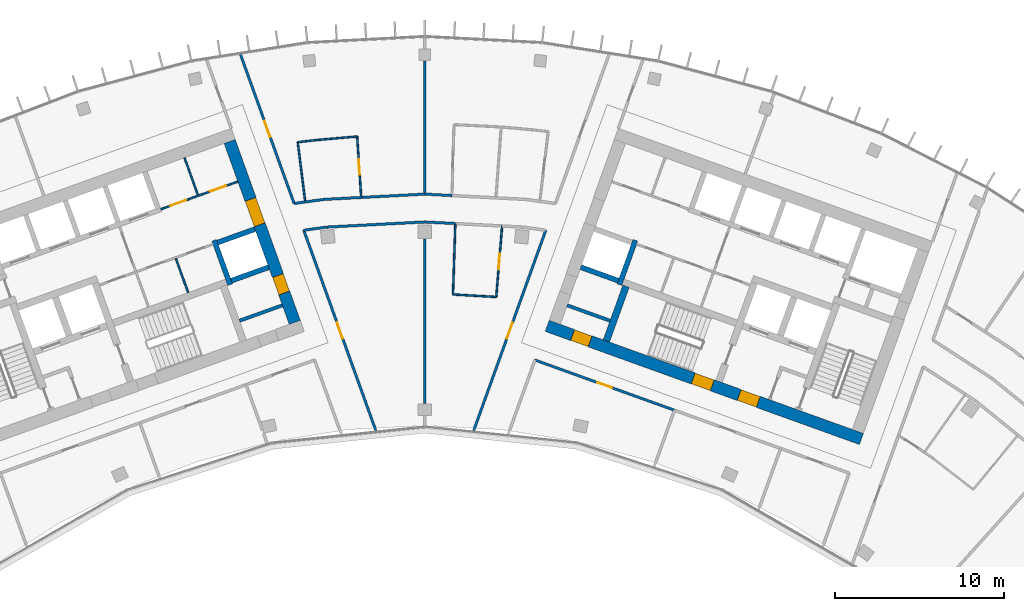
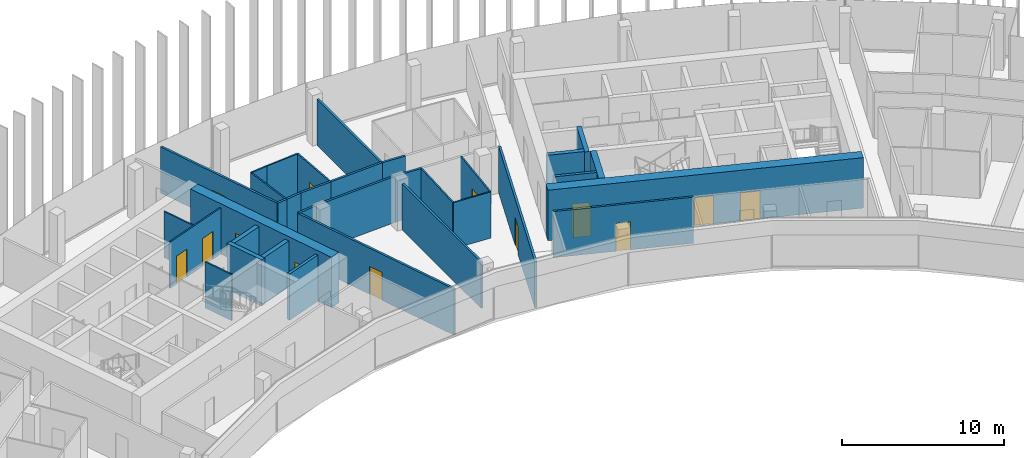
# One storey, part 15 of 19: 34 walls, 13 doors, 13 openings.
"""IFC4 building model written with IfcOpenShell, lengths in metres."""

from ifc_helpers import new_model, si_unit, direction, frame, frame_2d, origin, place, context, subcontext, project, spatial, rectangle, extrude, material, layer, layer_set, type_object, element, fill, save


model = new_model("IFC4")

# Units and contexts
model_context = context("Model", 3, precision=1e-05, world=origin(), true_north=direction((0.0, 1.0)))
body_context = subcontext(model_context, "Body", "Model", "MODEL_VIEW")
ifc_project = project(units=[si_unit("LENGTHUNIT", "METRE"), si_unit("AREAUNIT", "SQUARE_METRE"), si_unit("VOLUMEUNIT", "CUBIC_METRE"), si_unit("PLANEANGLEUNIT", "RADIAN"), si_unit("MASSUNIT", "GRAM", prefix="KILO")], contexts=[model_context])

# Site, building, storey
site_placement = place(None, origin())
site = spatial("IfcSite", under=ifc_project, at=site_placement, CompositionType="ELEMENT")
building_placement = place(site_placement, origin())
building = spatial("IfcBuilding", under=site, at=building_placement, Name="Stone Belt Terrace Tower", CompositionType="ELEMENT")
storey_placement = place(building_placement, frame((0.0, 0.0, 280.800048828125)))
storey = spatial("IfcBuildingStorey", under=building, at=storey_placement, Name="L68", CompositionType="ELEMENT", Elevation=280.800048828125)

# Wall
ifc_material_1 = material(Name="Plasterboard partition")
ifc_layer_1 = layer(ifc_material_1, 0.10009765625)
ifc_layer_set_1 = layer_set([ifc_layer_1], Name="Core partition 100")
wall_type_1 = type_object("IfcWallType", Name="Core partition 100", PredefinedType="PARTITIONING", material=ifc_layer_set_1)
wall_1_placement = place(storey_placement, frame((-14.029052734375, 51.38525390625, 0.0), z_axis=(0.0, 0.0, 1.0), x_axis=(-0.338622960269, 0.940922149159, 0.0)))
element("IfcWall", 1, at=wall_1_placement, inside=storey, type_object=wall_type_1, Name="Core A wall", PredefinedType="PARTITIONING", context=body_context, shape_type="SweptSolid", body=[
    extrude(rectangle(XDim=2.14990234375, YDim=0.10009765625, at=frame_2d((1.074951171875, 0.0))), origin(), (0.0, 0.0, 1.0), 3.47998046875),
])

# Wall, openings, doors
wall_2_placement = place(storey_placement, frame((-15.648681640625, 56.32861328125, 0.0), z_axis=(0.0, 0.0, 1.0), x_axis=(0.940905377977, 0.338669558262, 0.0)))
wall_2 = element("IfcWall", 2, at=wall_2_placement, inside=storey, type_object=wall_type_1, Name="Core A wall", PredefinedType="PARTITIONING", context=body_context, shape_type="SweptSolid", body=[
    extrude(rectangle(XDim=4.85009765625, YDim=0.10009765625, at=frame_2d((2.425048828125, 0.0))), origin(), (0.0, 0.0, 1.0), 3.47998046875),
])
opening_1_placement = place(wall_2_placement, frame((0.60009765625, 0.0, 0.0)))
opening_1 = element("IfcOpeningElement", 3, at=opening_1_placement, cuts=wall_2, Name="Opening L68-C01", PredefinedType="OPENING", context=body_context, shape_type="SweptSolid", body=[
    extrude(rectangle(XDim=1.0, YDim=2.10009765625, at=frame_2d((0.5, 1.050048828125))), frame((0.0, 0.06005859375, 0.0), z_axis=(0.0, -1.0, 0.0), x_axis=(1.0, 0.0, 0.0)), (0.0, 0.0, 1.0), 0.1201171875),
])
opening_2_placement = place(wall_2_placement, frame((3.10009765625, 0.0, 0.0)))
opening_2 = element("IfcOpeningElement", 4, at=opening_2_placement, cuts=wall_2, Name="Opening L68-C02", PredefinedType="OPENING", context=body_context, shape_type="SweptSolid", body=[
    extrude(rectangle(XDim=1.0, YDim=2.10009765625, at=frame_2d((0.5, 1.050048828125))), frame((0.0, 0.06005859375, 0.0), z_axis=(0.0, -1.0, 0.0), x_axis=(1.0, 0.0, 0.0)), (0.0, 0.0, 1.0), 0.1201171875),
])
ifc_material_2 = material(Name="Timber door leaf", Category="wood")
door_type_1 = type_object("IfcDoorType", Name="Core room door 1000", OperationType="SINGLE_SWING_LEFT", PredefinedType="DOOR", material=ifc_material_2)
door_1_placement = place(opening_1_placement, origin())
door_1 = element("IfcDoor", 5, at=door_1_placement, inside=storey, type_object=door_type_1, Name="Door to Server room core A", OperationType="SINGLE_SWING_LEFT", OverallHeight=2.10009765625, OverallWidth=1.0, PredefinedType="DOOR", context=body_context, shape_type="SweptSolid", body=[
    extrude(rectangle(XDim=1.0, YDim=2.10009765625, at=frame_2d((0.5, 1.050048828125))), frame((0.0, 0.02490234375, 0.0), z_axis=(0.0, -1.0, 0.0), x_axis=(1.0, 0.0, 0.0)), (0.0, 0.0, 1.0), 0.050048828125),
])
fill(opening_1, door_1)
door_2_placement = place(opening_2_placement, origin())
door_2 = element("IfcDoor", 6, at=door_2_placement, inside=storey, type_object=door_type_1, Name="Door to Plant room core A", OperationType="SINGLE_SWING_RIGHT", OverallHeight=2.10009765625, OverallWidth=1.0, PredefinedType="DOOR", context=body_context, shape_type="SweptSolid", body=[
    extrude(rectangle(XDim=1.0, YDim=2.10009765625, at=frame_2d((0.5, 1.050048828125))), frame((0.0, 0.02490234375, 0.0), z_axis=(0.0, -1.0, 0.0), x_axis=(1.0, 0.0, 0.0)), (0.0, 0.0, 1.0), 0.050048828125),
])
fill(opening_2, door_2)

# Wall
wall_3_placement = place(storey_placement, frame((-13.45458984375, 57.171630859375, 0.0), z_axis=(0.0, 0.0, 1.0), x_axis=(-0.338579668317, 0.940937728121, 0.0)))
element("IfcWall", 7, at=wall_3_placement, inside=storey, type_object=wall_type_1, Name="Core A wall", PredefinedType="PARTITIONING", context=body_context, shape_type="SweptSolid", body=[
    extrude(rectangle(XDim=2.35009765625, YDim=0.10009765625, at=frame_2d((1.175048828125, 0.0))), origin(), (0.0, 0.0, 1.0), 3.47998046875),
])

# Wall, openings, doors
ifc_material_3 = material(Name="Concrete B60", Category="concrete")
ifc_layer_2 = layer(ifc_material_3, 0.699951171875)
ifc_layer_set_2 = layer_set([ifc_layer_2], Name="Core wall 700 B60")
wall_type_2 = type_object("IfcWallType", Name="Core wall 700 B60", PredefinedType="SHEAR", material=ifc_layer_set_2)
wall_4_placement = place(storey_placement, frame((-7.70849609375, 49.621337890625, 0.0), z_axis=(0.0, 0.0, 1.0), x_axis=(-0.338606471282, 0.940928083121, 0.0)))
wall_4 = element("IfcWall", 8, at=wall_4_placement, inside=storey, type_object=wall_type_2, Name="Core A wall end_b L68", PredefinedType="SHEAR", context=body_context, shape_type="SweptSolid", body=[
    extrude(rectangle(XDim=11.39990234375, YDim=0.699951171875, at=frame_2d((5.699951171875, 0.0))), origin(), (0.0, 0.0, 1.0), 3.800048828125),
])
opening_3_placement = place(wall_4_placement, frame((6.14990234375, 0.0, 0.0)))
opening_3 = element("IfcOpeningElement", 9, at=opening_3_placement, cuts=wall_4, Name="Opening L68-C09", PredefinedType="OPENING", context=body_context, shape_type="SweptSolid", body=[
    extrude(rectangle(XDim=1.60009765625, YDim=2.10009765625, at=frame_2d((0.800048828125, 1.050048828125))), frame((0.0, 0.35986328125, 0.0), z_axis=(0.0, -1.0, 0.0), x_axis=(1.0, 0.0, 0.0)), (0.0, 0.0, 1.0), 0.719970703125),
])
opening_4_placement = place(wall_4_placement, frame((1.85009765625, 0.0, 0.0)))
opening_4 = element("IfcOpeningElement", 10, at=opening_4_placement, cuts=wall_4, Name="Opening L68-C15", PredefinedType="OPENING", context=body_context, shape_type="SweptSolid", body=[
    extrude(rectangle(XDim=1.10009765625, YDim=2.10009765625, at=frame_2d((0.550048828125, 1.050048828125))), frame((0.0, 0.35986328125, 0.0), z_axis=(0.0, -1.0, 0.0), x_axis=(1.0, 0.0, 0.0)), (0.0, 0.0, 1.0), 0.719970703125),
])
door_type_2 = type_object("IfcDoorType", Name="Core room door 1100", OperationType="SINGLE_SWING_LEFT", PredefinedType="DOOR", material=ifc_material_2)
door_3_placement = place(opening_4_placement, origin())
door_3 = element("IfcDoor", 11, at=door_3_placement, inside=storey, type_object=door_type_2, Name="Door to Accessible WC core A", OperationType="SINGLE_SWING_RIGHT", OverallHeight=2.10009765625, OverallWidth=1.10009765625, PredefinedType="DOOR", context=body_context, shape_type="SweptSolid", body=[
    extrude(rectangle(XDim=1.10009765625, YDim=2.10009765625, at=frame_2d((0.550048828125, 1.050048828125))), frame((0.0, 0.330078125, 0.0), z_axis=(0.0, -1.0, 0.0), x_axis=(1.0, 0.0, 0.0)), (0.0, 0.0, 1.0), 0.659912109375),
])
fill(opening_4, door_3)
ifc_material_4 = material(Name="Glazed aluminium door leaf", Category="aluminium")
door_type_3 = type_object("IfcDoorType", Name="Lift lobby entrance door 1600", OperationType="DOUBLE_DOOR_SINGLE_SWING", PredefinedType="DOOR", material=ifc_material_4)
door_4_placement = place(opening_3_placement, origin())
door_4 = element("IfcDoor", 12, at=door_4_placement, inside=storey, type_object=door_type_3, Name="Lift lobby entrance door core A", OperationType="DOUBLE_DOOR_SINGLE_SWING", OverallHeight=2.10009765625, OverallWidth=1.60009765625, PredefinedType="DOOR", context=body_context, shape_type="SweptSolid", body=[
    extrude(rectangle(XDim=1.60009765625, YDim=2.10009765625, at=frame_2d((0.800048828125, 1.050048828125))), frame((0.0, 0.330078125, 0.0), z_axis=(0.0, -1.0, 0.0), x_axis=(1.0, 0.0, 0.0)), (0.0, 0.0, 1.0), 0.659912109375),
])
fill(opening_3, door_4)

wall_5_placement = place(storey_placement, frame((7.260498046875, 49.410400390625, 0.0), z_axis=(0.0, 0.0, 1.0), x_axis=(0.940925130461, -0.338614676094, 0.0)))
wall_5 = element("IfcWall", 13, at=wall_5_placement, inside=storey, type_object=wall_type_2, Name="Core B wall concave L68", PredefinedType="SHEAR", context=body_context, shape_type="SweptSolid", body=[
    extrude(rectangle(XDim=19.800048828125, YDim=0.699951171875, at=frame_2d((9.89990234375, 0.0))), origin(), (0.0, 0.0, 1.0), 3.800048828125),
])
opening_5_placement = place(wall_5_placement, frame((12.10009765625, 0.0, 0.0)))
opening_5 = element("IfcOpeningElement", 14, at=opening_5_placement, cuts=wall_5, Name="Opening L68-C28", PredefinedType="OPENING", context=body_context, shape_type="SweptSolid", body=[
    extrude(rectangle(XDim=1.199951171875, YDim=2.10009765625, at=frame_2d((0.60009765625, 1.050048828125))), frame((0.0, 0.35986328125, 0.0), z_axis=(0.0, -1.0, 0.0), x_axis=(1.0, 0.0, 0.0)), (0.0, 0.0, 1.0), 0.719970703125),
])
opening_6_placement = place(wall_5_placement, frame((9.2001953125, 0.0, 0.0)))
opening_6 = element("IfcOpeningElement", 15, at=opening_6_placement, cuts=wall_5, Name="Opening L68-C30", PredefinedType="OPENING", context=body_context, shape_type="SweptSolid", body=[
    extrude(rectangle(XDim=1.199951171875, YDim=2.10009765625, at=frame_2d((0.60009765625, 1.050048828125))), frame((0.0, 0.35986328125, 0.0), z_axis=(0.0, -1.0, 0.0), x_axis=(1.0, 0.0, 0.0)), (0.0, 0.0, 1.0), 0.719970703125),
])
opening_7_placement = place(wall_5_placement, frame((1.60009765625, 0.0, 0.0)))
opening_7 = element("IfcOpeningElement", 16, at=opening_7_placement, cuts=wall_5, Name="Opening L68-C32", PredefinedType="OPENING", context=body_context, shape_type="SweptSolid", body=[
    extrude(rectangle(XDim=1.10009765625, YDim=2.10009765625, at=frame_2d((0.550048828125, 1.050048828125))), frame((0.0, 0.35986328125, 0.0), z_axis=(0.0, -1.0, 0.0), x_axis=(1.0, 0.0, 0.0)), (0.0, 0.0, 1.0), 0.719970703125),
])
door_5_placement = place(opening_7_placement, origin())
door_5 = element("IfcDoor", 17, at=door_5_placement, inside=storey, type_object=door_type_2, Name="Door to Pipe riser core B", OperationType="SINGLE_SWING_RIGHT", OverallHeight=2.10009765625, OverallWidth=1.10009765625, PredefinedType="DOOR", context=body_context, shape_type="SweptSolid", body=[
    extrude(rectangle(XDim=1.10009765625, YDim=2.10009765625, at=frame_2d((0.550048828125, 1.050048828125))), frame((0.0, 0.330078125, 0.0), z_axis=(0.0, -1.0, 0.0), x_axis=(1.0, 0.0, 0.0)), (0.0, 0.0, 1.0), 0.659912109375),
])
fill(opening_7, door_5)
ifc_material_5 = material(Name="Steel door leaf", Category="steel")
door_type_4 = type_object("IfcDoorType", Name="Fire-fighting lobby door 1200", OperationType="SINGLE_SWING_LEFT", PredefinedType="DOOR", material=ifc_material_5)
door_6_placement = place(opening_5_placement, origin())
door_6 = element("IfcDoor", 18, at=door_6_placement, inside=storey, type_object=door_type_4, Name="Fire-fighting lobby door core B", OperationType="SINGLE_SWING_RIGHT", OverallHeight=2.10009765625, OverallWidth=1.199951171875, PredefinedType="DOOR", context=body_context, shape_type="SweptSolid", body=[
    extrude(rectangle(XDim=1.199951171875, YDim=2.10009765625, at=frame_2d((0.60009765625, 1.050048828125))), frame((0.0, 0.330078125, 0.0), z_axis=(0.0, -1.0, 0.0), x_axis=(1.0, 0.0, 0.0)), (0.0, 0.0, 1.0), 0.659912109375),
])
fill(opening_5, door_6)
door_type_5 = type_object("IfcDoorType", Name="Stair door 1200", OperationType="SINGLE_SWING_LEFT", PredefinedType="DOOR", material=ifc_material_5)
door_7_placement = place(opening_6_placement, origin())
door_7 = element("IfcDoor", 19, at=door_7_placement, inside=storey, type_object=door_type_5, Name="Stair 2 exit door core B", OperationType="SINGLE_SWING_LEFT", OverallHeight=2.10009765625, OverallWidth=1.199951171875, PredefinedType="DOOR", context=body_context, shape_type="SweptSolid", body=[
    extrude(rectangle(XDim=1.199951171875, YDim=2.10009765625, at=frame_2d((0.60009765625, 1.050048828125))), frame((0.0, 0.330078125, 0.0), z_axis=(0.0, -1.0, 0.0), x_axis=(1.0, 0.0, 0.0)), (0.0, 0.0, 1.0), 0.659912109375),
])
fill(opening_6, door_7)

# Walls
ifc_material_6 = material(Name="Concrete B80", Category="concrete")
ifc_layer_3 = layer(ifc_material_6, 0.300048828125)
ifc_layer_set_3 = layer_set([ifc_layer_3], Name="Lift shaft wall 300")
wall_type_3 = type_object("IfcWallType", Name="Lift shaft wall 300", PredefinedType="SHEAR", material=ifc_layer_set_3)
wall_6_placement = place(storey_placement, frame((-11.541259765625, 51.85546875, 0.0), z_axis=(0.0, 0.0, 1.0), x_axis=(-0.338660803216, 0.940908529223, 0.0)))
element("IfcWall", 20, at=wall_6_placement, inside=storey, type_object=wall_type_3, Name="Core A wall", PredefinedType="SHEAR", context=body_context, shape_type="SweptSolid", body=[
    extrude(rectangle(XDim=2.800048828125, YDim=0.300048828125, at=frame_2d((1.39990234375, 0.0))), origin(), (0.0, 0.0, 1.0), 3.47998046875),
])
wall_7_placement = place(storey_placement, frame((-11.468017578125, 52.09423828125, 0.0), z_axis=(0.0, 0.0, 1.0), x_axis=(0.940904627055, 0.338671644496, 0.0)))
element("IfcWall", 21, at=wall_7_placement, inside=storey, type_object=wall_type_3, Name="Core A wall", PredefinedType="SHEAR", context=body_context, shape_type="SweptSolid", body=[
    extrude(rectangle(XDim=2.35009765625, YDim=0.300048828125, at=frame_2d((1.175048828125, 0.0))), origin(), (0.0, 0.0, 1.0), 3.47998046875),
])
wall_8_placement = place(storey_placement, frame((-12.280517578125, 54.3525390625, 0.0), z_axis=(0.0, 0.0, 1.0), x_axis=(0.940925816745, 0.338612769078, 0.0)))
element("IfcWall", 22, at=wall_8_placement, inside=storey, type_object=wall_type_3, Name="Core A wall", PredefinedType="SHEAR", context=body_context, shape_type="SweptSolid", body=[
    extrude(rectangle(XDim=2.349853515625, YDim=0.300048828125, at=frame_2d((1.1748046875, 0.0))), origin(), (0.0, 0.0, 1.0), 3.47998046875),
])
wall_9_placement = place(storey_placement, frame((11.541259765625, 51.85546875, 0.0), z_axis=(0.0, 0.0, 1.0), x_axis=(0.338660803216, 0.940908529223, 0.0)))
element("IfcWall", 23, at=wall_9_placement, inside=storey, type_object=wall_type_3, Name="Core B wall", PredefinedType="SHEAR", context=body_context, shape_type="SweptSolid", body=[
    extrude(rectangle(XDim=2.800048828125, YDim=0.300048828125, at=frame_2d((1.39990234375, 0.0))), origin(), (0.0, 0.0, 1.0), 3.47998046875),
])
wall_10_placement = place(storey_placement, frame((11.468017578125, 52.09423828125, 0.0), z_axis=(0.0, 0.0, 1.0), x_axis=(-0.940904627055, 0.338671644496, 0.0)))
element("IfcWall", 24, at=wall_10_placement, inside=storey, type_object=wall_type_3, Name="Core B wall", PredefinedType="SHEAR", context=body_context, shape_type="SweptSolid", body=[
    extrude(rectangle(XDim=2.35009765625, YDim=0.300048828125, at=frame_2d((1.175048828125, 0.0))), origin(), (0.0, 0.0, 1.0), 3.47998046875),
])
ifc_material_7 = material(Name="Gypsum board partition")
ifc_layer_4 = layer(ifc_material_7, 0.10009765625)
ifc_layer_set_4 = layer_set([ifc_layer_4], Name="PARTITION 100")
wall_type_4 = type_object("IfcWallType", Name="PARTITION 100", PredefinedType="PARTITIONING", material=ifc_layer_set_4)
wall_11_placement = place(storey_placement, frame((1.81103515625, 55.47998046875, 0.0), z_axis=(0.0, 0.0, 1.0), x_axis=(-0.032793038471, -0.99946216368, 0.0)))
element("IfcWall", 25, at=wall_11_placement, inside=storey, type_object=wall_type_4, Name="L68/wall/i103", PredefinedType="PARTITIONING", context=body_context, shape_type="SweptSolid", body=[
    extrude(rectangle(XDim=4.206298828125, YDim=0.10009765625, at=frame_2d((2.10302734375, 0.0))), origin(), (0.0, 0.0, 1.0), 3.47998046875),
])
wall_12_placement = place(storey_placement, frame((1.673095703125, 51.27587890625, 0.0), z_axis=(0.0, 0.0, 1.0), x_axis=(0.998340572085, -0.057585606956, 0.0)))
element("IfcWall", 26, at=wall_12_placement, inside=storey, type_object=wall_type_4, Name="L68/wall/i104", PredefinedType="PARTITIONING", context=body_context, shape_type="SweptSolid", body=[
    extrude(rectangle(XDim=2.569091796875, YDim=0.10009765625, at=frame_2d((1.28466796875, 0.0))), origin(), (0.0, 0.0, 1.0), 3.47998046875),
])

# Wall, opening, door
wall_13_placement = place(storey_placement, frame((4.238037109375, 51.1279296875, 0.0), z_axis=(0.0, 0.0, 1.0), x_axis=(0.082413674848, 0.996598207001, 0.0)))
wall_13 = element("IfcWall", 27, at=wall_13_placement, inside=storey, type_object=wall_type_4, Name="L68/wall/i105", PredefinedType="PARTITIONING", context=body_context, shape_type="SweptSolid", body=[
    extrude(rectangle(XDim=4.221435546875, YDim=0.10009765625, at=frame_2d((2.11083984375, 0.0))), origin(), (0.0, 0.0, 1.0), 3.47998046875),
])
opening_8_placement = place(wall_13_placement, frame((1.66064453125, 0.0, 0.0)))
opening_8 = element("IfcOpeningElement", 28, at=opening_8_placement, cuts=wall_13, Name="Opening D-E2-28", PredefinedType="OPENING", context=body_context, shape_type="SweptSolid", body=[
    extrude(rectangle(XDim=0.89990234375, YDim=2.10009765625, at=frame_2d((0.449951171875, 1.050048828125))), frame((0.0, 0.06005859375, 0.0), z_axis=(0.0, -1.0, 0.0), x_axis=(1.0, 0.0, 0.0)), (0.0, 0.0, 1.0), 0.1201171875),
])
door_type_6 = type_object("IfcDoorType", Name="OFFICE DOOR 900 X 2100", OperationType="NOTDEFINED", PredefinedType="DOOR", material=ifc_material_2)
door_8_placement = place(opening_8_placement, origin())
door_8 = element("IfcDoor", 29, at=door_8_placement, inside=storey, type_object=door_type_6, Name="L68/door/i28", OperationType="SINGLE_SWING_RIGHT", OverallHeight=2.10009765625, OverallWidth=0.89990234375, PredefinedType="DOOR", context=body_context, shape_type="SweptSolid", body=[
    extrude(rectangle(XDim=0.89990234375, YDim=2.10009765625, at=frame_2d((0.449951171875, 1.050048828125))), frame((0.0, 0.02490234375, 0.0), z_axis=(0.0, -1.0, 0.0), x_axis=(1.0, 0.0, 0.0)), (0.0, 0.0, 1.0), 0.050048828125),
])
fill(opening_8, door_8)

wall_14_placement = place(storey_placement, frame((-3.77001953125, 57.028076171875, 0.0), z_axis=(0.0, 0.0, 1.0), x_axis=(-0.066008841027, 0.997819038156, 0.0)))
wall_14 = element("IfcWall", 30, at=wall_14_placement, inside=storey, type_object=wall_type_4, Name="L68/wall/i106", PredefinedType="PARTITIONING", context=body_context, shape_type="SweptSolid", body=[
    extrude(rectangle(XDim=3.620849609375, YDim=0.10009765625, at=frame_2d((1.810546875, 0.0))), origin(), (0.0, 0.0, 1.0), 3.47998046875),
])
opening_9_placement = place(wall_14_placement, frame((1.3603515625, 0.0, 0.0)))
opening_9 = element("IfcOpeningElement", 31, at=opening_9_placement, cuts=wall_14, Name="Opening D-E2-30", PredefinedType="OPENING", context=body_context, shape_type="SweptSolid", body=[
    extrude(rectangle(XDim=0.89990234375, YDim=2.10009765625, at=frame_2d((0.449951171875, 1.050048828125))), frame((0.0, 0.06005859375, 0.0), z_axis=(0.0, -1.0, 0.0), x_axis=(1.0, 0.0, 0.0)), (0.0, 0.0, 1.0), 0.1201171875),
])
door_9_placement = place(opening_9_placement, origin())
door_9 = element("IfcDoor", 32, at=door_9_placement, inside=storey, type_object=door_type_6, Name="L68/door/i30", OperationType="SINGLE_SWING_RIGHT", OverallHeight=2.10009765625, OverallWidth=0.89990234375, PredefinedType="DOOR", context=body_context, shape_type="SweptSolid", body=[
    extrude(rectangle(XDim=0.89990234375, YDim=2.10009765625, at=frame_2d((0.449951171875, 1.050048828125))), frame((0.0, 0.02490234375, 0.0), z_axis=(0.0, -1.0, 0.0), x_axis=(1.0, 0.0, 0.0)), (0.0, 0.0, 1.0), 0.050048828125),
])
fill(opening_9, door_9)

# Walls
wall_15_placement = place(storey_placement, frame((-4.009033203125, 60.64111328125, 0.0), z_axis=(0.0, 0.0, 1.0), x_axis=(-0.996337308446, -0.085510045012, 0.0)))
element("IfcWall", 33, at=wall_15_placement, inside=storey, type_object=wall_type_4, Name="L68/wall/i107", PredefinedType="PARTITIONING", context=body_context, shape_type="SweptSolid", body=[
    extrude(rectangle(XDim=2.3525390625, YDim=0.10009765625, at=frame_2d((1.17626953125, 0.0))), origin(), (0.0, 0.0, 1.0), 3.47998046875),
])
wall_16_placement = place(storey_placement, frame((-6.35302734375, 60.43994140625, 0.0), z_axis=(0.0, 0.0, 1.0), x_axis=(-0.993496119058, -0.11386598007, 0.0)))
element("IfcWall", 34, at=wall_16_placement, inside=storey, type_object=wall_type_4, Name="L68/wall/i108", PredefinedType="PARTITIONING", context=body_context, shape_type="SweptSolid", body=[
    extrude(rectangle(XDim=1.185791015625, YDim=0.10009765625, at=frame_2d((0.5927734375, 0.0))), origin(), (0.0, 0.0, 1.0), 3.47998046875),
])
wall_17_placement = place(storey_placement, frame((-7.531005859375, 60.304931640625, 0.0), z_axis=(0.0, 0.0, 1.0), x_axis=(0.124034734589, -0.992277876714, 0.0)))
element("IfcWall", 35, at=wall_17_placement, inside=storey, type_object=wall_type_4, Name="L68/wall/i109", PredefinedType="PARTITIONING", context=body_context, shape_type="SweptSolid", body=[
    extrude(rectangle(XDim=3.572509765625, YDim=0.10009765625, at=frame_2d((1.7861328125, 0.0))), origin(), (0.0, 0.0, 1.0), 3.47998046875),
])

# Wall, opening, door
ifc_layer_5 = layer(ifc_material_7, 0.14990234375)
ifc_layer_set_5 = layer_set([ifc_layer_5], Name="PARTITION 150 EI 60")
wall_type_5 = type_object("IfcWallType", Name="PARTITION 150 EI 60", PredefinedType="PARTITIONING", material=ifc_layer_set_5)
wall_18_placement = place(storey_placement, frame((-7.177978515625, 55.089111328125, 0.0), z_axis=(0.0, 0.0, 1.0), x_axis=(0.338597725617, -0.940931230328, 0.0)))
wall_18 = element("IfcWall", 36, at=wall_18_placement, inside=storey, type_object=wall_type_5, Name="L68/wall/i009", PredefinedType="PARTITIONING", context=body_context, shape_type="SweptSolid", body=[
    extrude(rectangle(XDim=12.640380859375, YDim=0.14990234375, at=frame_2d((6.3203125, 0.0))), origin(), (0.0, 0.0, 1.0), 3.47998046875),
])
opening_10_placement = place(wall_18_placement, frame((5.820068359375, 0.0, 0.0)))
opening_10 = element("IfcOpeningElement", 37, at=opening_10_placement, cuts=wall_18, Name="Opening D-E2-26", PredefinedType="OPENING", context=body_context, shape_type="SweptSolid", body=[
    extrude(rectangle(XDim=1.0, YDim=2.10009765625, at=frame_2d((0.5, 1.050048828125))), frame((0.0, 0.0849609375, 0.0), z_axis=(0.0, -1.0, 0.0), x_axis=(1.0, 0.0, 0.0)), (0.0, 0.0, 1.0), 0.169921875),
])
ifc_material_8 = material(Name="Timber fire door leaf", Category="wood")
door_type_7 = type_object("IfcDoorType", Name="TENANCY ENTRANCE DOOR 1000 X 2100", OperationType="NOTDEFINED", PredefinedType="DOOR", material=ifc_material_8)
door_10_placement = place(opening_10_placement, origin())
door_10 = element("IfcDoor", 38, at=door_10_placement, inside=storey, type_object=door_type_7, Name="L68/door/i26", OperationType="SINGLE_SWING_LEFT", OverallHeight=2.10009765625, OverallWidth=1.0, PredefinedType="DOOR", context=body_context, shape_type="SweptSolid", body=[
    extrude(rectangle(XDim=1.0, YDim=2.10009765625, at=frame_2d((0.5, 1.050048828125))), frame((0.0, 0.02490234375, 0.0), z_axis=(0.0, -1.0, 0.0), x_axis=(1.0, 0.0, 0.0)), (0.0, 0.0, 1.0), 0.050048828125),
])
fill(opening_10, door_10)

wall_19_placement = place(storey_placement, frame((-10.9267578125, 65.504150390625, 0.0), z_axis=(0.0, 0.0, 1.0), x_axis=(0.338644933311, -0.94091424112, 0.0)))
wall_19 = element("IfcWall", 39, at=wall_19_placement, inside=storey, type_object=wall_type_5, Name="L68/wall/i010", PredefinedType="PARTITIONING", context=body_context, shape_type="SweptSolid", body=[
    extrude(rectangle(XDim=9.395263671875, YDim=0.14990234375, at=frame_2d((4.69775390625, 0.0))), origin(), (0.0, 0.0, 1.0), 3.47998046875),
])
opening_11_placement = place(wall_19_placement, frame((4.19775390625, 0.0, 0.0)))
opening_11 = element("IfcOpeningElement", 40, at=opening_11_placement, cuts=wall_19, Name="Opening D-E2-29", PredefinedType="OPENING", context=body_context, shape_type="SweptSolid", body=[
    extrude(rectangle(XDim=1.0, YDim=2.10009765625, at=frame_2d((0.5, 1.050048828125))), frame((0.0, 0.0849609375, 0.0), z_axis=(0.0, -1.0, 0.0), x_axis=(1.0, 0.0, 0.0)), (0.0, 0.0, 1.0), 0.169921875),
])
door_11_placement = place(opening_11_placement, origin())
door_11 = element("IfcDoor", 41, at=door_11_placement, inside=storey, type_object=door_type_7, Name="L68/door/i29", OperationType="SINGLE_SWING_RIGHT", OverallHeight=2.10009765625, OverallWidth=1.0, PredefinedType="DOOR", context=body_context, shape_type="SweptSolid", body=[
    extrude(rectangle(XDim=1.0, YDim=2.10009765625, at=frame_2d((0.5, 1.050048828125))), frame((0.0, 0.02490234375, 0.0), z_axis=(0.0, -1.0, 0.0), x_axis=(1.0, 0.0, 0.0)), (0.0, 0.0, 1.0), 0.050048828125),
])
fill(opening_11, door_11)

wall_20_placement = place(storey_placement, frame((2.89794921875, 43.1953125, 0.0), z_axis=(0.0, 0.0, 1.0), x_axis=(0.338597725617, 0.940931230328, 0.0)))
wall_20 = element("IfcWall", 42, at=wall_20_placement, inside=storey, type_object=wall_type_5, Name="L68/wall/i020", PredefinedType="PARTITIONING", context=body_context, shape_type="SweptSolid", body=[
    extrude(rectangle(XDim=12.640380859375, YDim=0.14990234375, at=frame_2d((6.3203125, 0.0))), origin(), (0.0, 0.0, 1.0), 3.47998046875),
])
opening_12_placement = place(wall_20_placement, frame((5.820068359375, 0.0, 0.0)))
opening_12 = element("IfcOpeningElement", 43, at=opening_12_placement, cuts=wall_20, Name="Opening D-E2-27", PredefinedType="OPENING", context=body_context, shape_type="SweptSolid", body=[
    extrude(rectangle(XDim=1.0, YDim=2.10009765625, at=frame_2d((0.5, 1.050048828125))), frame((0.0, 0.0849609375, 0.0), z_axis=(0.0, -1.0, 0.0), x_axis=(1.0, 0.0, 0.0)), (0.0, 0.0, 1.0), 0.169921875),
])
door_12_placement = place(opening_12_placement, origin())
door_12 = element("IfcDoor", 44, at=door_12_placement, inside=storey, type_object=door_type_7, Name="L68/door/i27", OperationType="SINGLE_SWING_LEFT", OverallHeight=2.10009765625, OverallWidth=1.0, PredefinedType="DOOR", context=body_context, shape_type="SweptSolid", body=[
    extrude(rectangle(XDim=1.0, YDim=2.10009765625, at=frame_2d((0.5, 1.050048828125))), frame((0.0, 0.02490234375, 0.0), z_axis=(0.0, -1.0, 0.0), x_axis=(1.0, 0.0, 0.0)), (0.0, 0.0, 1.0), 0.050048828125),
])
fill(opening_12, door_12)

wall_21_placement = place(storey_placement, frame((14.80908203125, 44.409912109375, 0.0), z_axis=(0.0, 0.0, 1.0), x_axis=(-0.940937293639, 0.338580875772, 0.0)))
wall_21 = element("IfcWall", 45, at=wall_21_placement, inside=storey, type_object=wall_type_5, Name="L68/wall/i030", PredefinedType="PARTITIONING", context=body_context, shape_type="SweptSolid", body=[
    extrude(rectangle(XDim=8.795654296875, YDim=0.14990234375, at=frame_2d((4.39794921875, 0.0))), origin(), (0.0, 0.0, 1.0), 3.47998046875),
])
opening_13_placement = place(wall_21_placement, frame((3.94775390625, 0.0, 0.0)))
opening_13 = element("IfcOpeningElement", 46, at=opening_13_placement, cuts=wall_21, Name="Opening D-E2-06", PredefinedType="OPENING", context=body_context, shape_type="SweptSolid", body=[
    extrude(rectangle(XDim=0.89990234375, YDim=2.10009765625, at=frame_2d((0.449951171875, 1.050048828125))), frame((0.0, 0.0849609375, 0.0), z_axis=(0.0, -1.0, 0.0), x_axis=(1.0, 0.0, 0.0)), (0.0, 0.0, 1.0), 0.169921875),
])
door_13_placement = place(opening_13_placement, origin())
door_13 = element("IfcDoor", 47, at=door_13_placement, inside=storey, type_object=door_type_6, Name="L68/door/i06", OperationType="SINGLE_SWING_RIGHT", OverallHeight=2.10009765625, OverallWidth=0.89990234375, PredefinedType="DOOR", context=body_context, shape_type="SweptSolid", body=[
    extrude(rectangle(XDim=0.89990234375, YDim=2.10009765625, at=frame_2d((0.449951171875, 1.050048828125))), frame((0.0, 0.02490234375, 0.0), z_axis=(0.0, -1.0, 0.0), x_axis=(1.0, 0.0, 0.0)), (0.0, 0.0, 1.0), 0.050048828125),
])
fill(opening_13, door_13)

# Walls
wall_22_placement = place(storey_placement, frame((0.0, 55.574951171875, 0.0), z_axis=(0.0, 0.0, 1.0), x_axis=(-0.998633897938, -0.052252635241, 0.0)))
element("IfcWall", 48, at=wall_22_placement, inside=storey, type_object=wall_type_5, Name="L68/wall/i086", PredefinedType="PARTITIONING", context=body_context, shape_type="SweptSolid", body=[
    extrude(rectangle(XDim=5.817138671875, YDim=0.14990234375, at=frame_2d((2.90869140625, 0.0))), origin(), (0.0, 0.0, 1.0), 3.47998046875),
])
wall_23_placement = place(storey_placement, frame((-5.80908203125, 55.27099609375, 0.0), z_axis=(0.0, 0.0, 1.0), x_axis=(-0.990675556397, -0.136242217972, 0.0)))
element("IfcWall", 49, at=wall_23_placement, inside=storey, type_object=wall_type_5, Name="L68/wall/i087", PredefinedType="PARTITIONING", context=body_context, shape_type="SweptSolid", body=[
    extrude(rectangle(XDim=1.3798828125, YDim=0.14990234375, at=frame_2d((0.68994140625, 0.0))), origin(), (0.0, 0.0, 1.0), 3.47998046875),
])
wall_24_placement = place(storey_placement, frame((1.81689453125, 55.47998046875, 0.0), z_axis=(0.0, 0.0, 1.0), x_axis=(-0.998636669852, 0.052199632434, 0.0)))
element("IfcWall", 50, at=wall_24_placement, inside=storey, type_object=wall_type_5, Name="L68/wall/i088", PredefinedType="PARTITIONING", context=body_context, shape_type="SweptSolid", body=[
    extrude(rectangle(XDim=1.8193359375, YDim=0.14990234375, at=frame_2d((0.90966796875, 0.0))), origin(), (0.0, 0.0, 1.0), 3.47998046875),
])
wall_25_placement = place(storey_placement, frame((-7.7470703125, 56.669921875, 0.0), z_axis=(0.0, 0.0, 1.0), x_axis=(0.990754763364, 0.135665024499, 0.0)))
element("IfcWall", 51, at=wall_25_placement, inside=storey, type_object=wall_type_5, Name="L68/wall/i092", PredefinedType="PARTITIONING", context=body_context, shape_type="SweptSolid", body=[
    extrude(rectangle(XDim=0.671142578125, YDim=0.14990234375, at=frame_2d((0.33544921875, 0.0))), origin(), (0.0, 0.0, 1.0), 3.47998046875),
])
wall_26_placement = place(storey_placement, frame((-3.77587890625, 57.027099609375, 0.0), z_axis=(0.0, 0.0, 1.0), x_axis=(0.99862797763, 0.052365659502, 0.0)))
element("IfcWall", 52, at=wall_26_placement, inside=storey, type_object=wall_type_5, Name="L68/wall/i093", PredefinedType="PARTITIONING", context=body_context, shape_type="SweptSolid", body=[
    extrude(rectangle(XDim=3.781005859375, YDim=0.14990234375, at=frame_2d((1.890625, 0.0))), origin(), (0.0, 0.0, 1.0), 3.47998046875),
])
wall_27_placement = place(storey_placement, frame((-7.093994140625, 56.760009765625, 0.0), z_axis=(0.0, 0.0, 1.0), x_axis=(0.990775819949, 0.135511160445, 0.0)))
element("IfcWall", 53, at=wall_27_placement, inside=storey, type_object=wall_type_5, Name="L68/wall/i094", PredefinedType="PARTITIONING", context=body_context, shape_type="SweptSolid", body=[
    extrude(rectangle(XDim=1.122314453125, YDim=0.14990234375, at=frame_2d((0.56103515625, 0.0))), origin(), (0.0, 0.0, 1.0), 3.47998046875),
])
wall_28_placement = place(storey_placement, frame((-5.98193359375, 56.912109375, 0.0), z_axis=(0.0, 0.0, 1.0), x_axis=(0.998635988354, 0.052212668626, 0.0)))
element("IfcWall", 54, at=wall_28_placement, inside=storey, type_object=wall_type_5, Name="L68/wall/i095", PredefinedType="PARTITIONING", context=body_context, shape_type="SweptSolid", body=[
    extrude(rectangle(XDim=2.220947265625, YDim=0.14990234375, at=frame_2d((1.1103515625, 0.0))), origin(), (0.0, 0.0, 1.0), 3.47998046875),
])
wall_29_placement = place(storey_placement, frame((0.0, 57.22509765625, 0.0), z_axis=(0.0, 0.0, 1.0), x_axis=(0.998617829333, -0.052558833123, 0.0)))
element("IfcWall", 55, at=wall_29_placement, inside=storey, type_object=wall_type_5, Name="L68/wall/i096", PredefinedType="PARTITIONING", context=body_context, shape_type="SweptSolid", body=[
    extrude(rectangle(XDim=1.62109375, YDim=0.14990234375, at=frame_2d((0.810546875, 0.0))), origin(), (0.0, 0.0, 1.0), 3.47998046875),
])
wall_30_placement = place(storey_placement, frame((0.0, 54.570068359375, 0.0), z_axis=(0.0, 0.0, 1.0), x_axis=(0.0, -1.0, 0.0)))
element("IfcWall", 56, at=wall_30_placement, inside=storey, type_object=wall_type_5, Name="L68/wall/i101", PredefinedType="PARTITIONING", context=body_context, shape_type="SweptSolid", body=[
    extrude(rectangle(XDim=9.7451171875, YDim=0.14990234375, at=frame_2d((4.87255859375, 0.0))), origin(), (0.0, 0.0, 1.0), 3.47998046875),
])
wall_31_placement = place(storey_placement, frame((0.0, 65.10888671875, 0.0), z_axis=(0.0, 0.0, 1.0), x_axis=(0.0, -1.0, 0.0)))
element("IfcWall", 57, at=wall_31_placement, inside=storey, type_object=wall_type_5, Name="L68/wall/i111", PredefinedType="PARTITIONING", context=body_context, shape_type="SweptSolid", body=[
    extrude(rectangle(XDim=7.8837890625, YDim=0.14990234375, at=frame_2d((3.94189453125, 0.0))), origin(), (0.0, 0.0, 1.0), 3.47998046875),
])
ifc_material_9 = material(Name="Concrete masonry block", Category="masonry")
ifc_layer_6 = layer(ifc_material_9, 0.199951171875)
ifc_layer_set_6 = layer_set([ifc_layer_6], Name="Rated lobby wall 200")
wall_type_6 = type_object("IfcWallType", Name="Rated lobby wall 200", PredefinedType="PARTITIONING", material=ifc_layer_set_6)
for number, where, z_axis, x_axis, name in (
    (58, (-10.984619140625, 49.717529296875, 0.0), (0.0, 0.0, 1.0), (0.940920834877, 0.338626612206, 0.0), "Core A wall"),
    (59, (10.984619140625, 49.717529296875, 0.0), (0.0, 0.0, 1.0), (-0.940920834877, 0.338626612206, 0.0), "Core B wall"),
):
    element("IfcWall", number, at=place(storey_placement, frame(where, z_axis=z_axis, x_axis=x_axis)), inside=storey, type_object=wall_type_6, Name=name, PredefinedType="PARTITIONING", context=body_context, shape_type="SweptSolid", body=[
        extrude(rectangle(XDim=2.699951171875, YDim=0.199951171875, at=frame_2d((1.35009765625, 0.0))), origin(), (0.0, 0.0, 1.0), 3.47998046875),
    ])
ifc_layer_7 = layer(ifc_material_6, 0.39990234375)
ifc_layer_set_7 = layer_set([ifc_layer_7], Name="Stair enclosure wall 400")
wall_type_7 = type_object("IfcWallType", Name="Stair enclosure wall 400", PredefinedType="SHEAR", material=ifc_layer_set_7)
wall_32_placement = place(storey_placement, frame((10.766357421875, 48.520751953125, 0.0), z_axis=(0.0, 0.0, 1.0), x_axis=(0.338621735342, 0.94092258999, 0.0)))
element("IfcWall", 60, at=wall_32_placement, inside=storey, type_object=wall_type_7, Name="Core B wall", PredefinedType="SHEAR", context=body_context, shape_type="SweptSolid", body=[
    extrude(rectangle(XDim=3.449951171875, YDim=0.39990234375, at=frame_2d((1.72509765625, 0.0))), origin(), (0.0, 0.0, 1.0), 3.47998046875),
])

save(model, "model.ifc")
